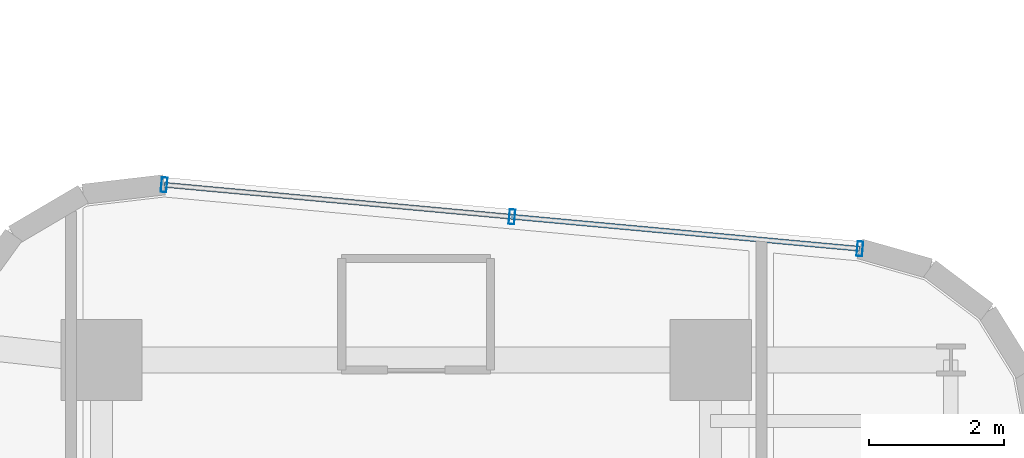
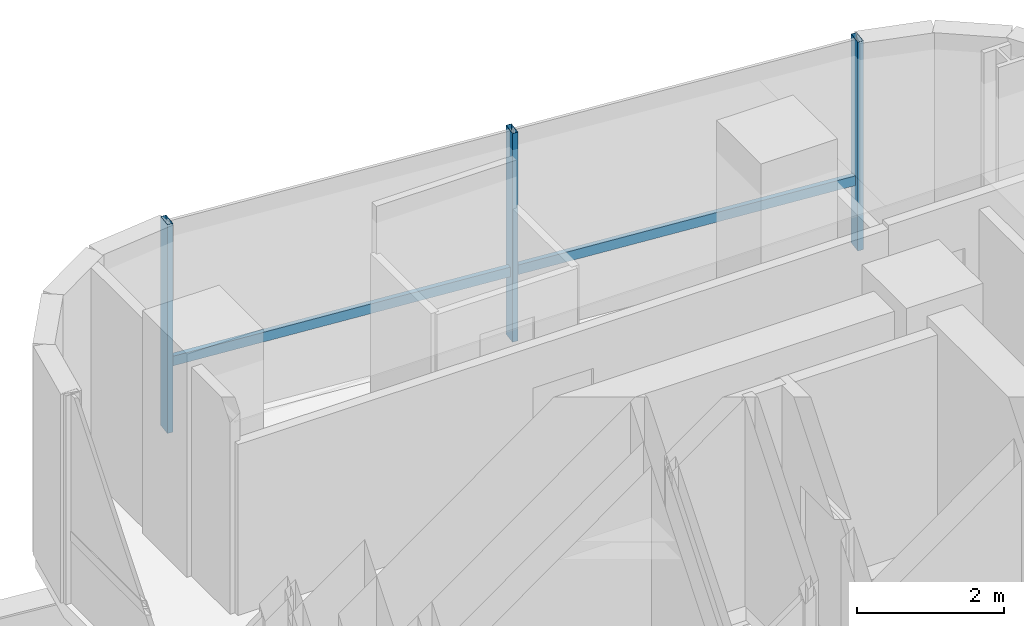
# One storey, part 25 of 36: 4 members, 1 element without a shape of its own.
"""IFC4 building model written with IfcOpenShell, lengths in metres."""

from ifc_helpers import new_model, si_unit, direction, frame, origin, origin_2d, place, context, subcontext, project, spatial, hollow_rectangle, extrude, source, transform, mapped, material, material_profile, profile_set, type_object, element, aggregate, save


model = new_model("IFC4")

# Units and contexts
model_context = context("Model", 3, precision=1e-05, world=origin(), true_north=direction((0.0, 1.0)))
body_context = subcontext(model_context, "Body", "Model", "MODEL_VIEW")
ifc_project = project(units=[si_unit("LENGTHUNIT", "METRE"), si_unit("AREAUNIT", "SQUARE_METRE"), si_unit("VOLUMEUNIT", "CUBIC_METRE"), si_unit("PLANEANGLEUNIT", "RADIAN"), si_unit("MASSUNIT", "GRAM", prefix="KILO")], contexts=[model_context])

# Site, building, storey
site_placement = place(None, origin())
site = spatial("IfcSite", under=ifc_project, at=site_placement, CompositionType="ELEMENT")
building_placement = place(site_placement, origin())
building = spatial("IfcBuilding", under=site, at=building_placement, Name="Valdorenza Pilgrim Sanctuary Tower", CompositionType="ELEMENT")
storey_placement = place(building_placement, frame((0.0, 0.0, 153.800048828125)))
storey = spatial("IfcBuildingStorey", under=building, at=storey_placement, Name="L39", CompositionType="ELEMENT", Elevation=153.800048828125)

# Curtain wall, members
ifc_material_1 = material(Name="Curtain-wall IGU glazing", Category="glass")
curtain_wall_type = type_object("IfcCurtainWallType", Name="CW-SYS-03", PredefinedType="NOTDEFINED", material=ifc_material_1)
curtain_wall_placement = place(storey_placement, origin())
curtain_wall = element("IfcCurtainWall", 1, at=curtain_wall_placement, inside=storey, type_object=curtain_wall_type, Name="L39 Curtain Wall CW-L39-2-6", PredefinedType="NOTDEFINED")
ifc_material_2 = material(Name="Anodised aluminium AW-6060", Category="aluminium")
ifc_material_profile_1 = material_profile(ifc_material_2, hollow_rectangle(XDim=0.0849609375, YDim=0.219970703125, WallThickness=0.0048828125, at=origin_2d()), Name="ALU-M 220x85x5")
ifc_profile_set_1 = profile_set([ifc_material_profile_1], Name="Anodised aluminium AW-6060")
member_type_1 = type_object("IfcMemberType", Name="CW-MUL-03", PredefinedType="MULLION", material=ifc_profile_set_1)
shared_shape_1 = source(origin(), body_context, "Body", "SweptSolid", [
    extrude(hollow_rectangle(XDim=0.0849609375, YDim=0.219970703125, WallThickness=0.0048828125, at=origin_2d()), origin(), (0.0, 0.0, 1.0), 3.4599609375),
])
member_1_placement = place(storey_placement, frame((16.776123046875, 16.087890625, 0.0), z_axis=(0.0, 0.0, 1.0), x_axis=(0.995793741111, -0.091623278503, 0.0)))
member_1 = element("IfcMember", 2, at=member_1_placement, type_object=member_type_1, Name="CW-L39-2-6 Mullion 1", PredefinedType="MULLION", context=body_context, shape_type="MappedRepresentation", body=[
    mapped(shared_shape_1, transform((0.0, 0.0, 0.0), x_axis=(1.0, 0.0, 0.0), y_axis=(0.0, 1.0, 0.0), z_axis=(0.0, 0.0, 1.0), scale=1.0)),
])
member_2_placement = place(storey_placement, frame((21.915283203125, 15.614990234375, 0.0), z_axis=(0.0, 0.0, 1.0), x_axis=(0.995793741111, -0.091623278503, 0.0)))
member_2 = element("IfcMember", 3, at=member_2_placement, type_object=member_type_1, Name="CW-L39-2-6 Mullion 2", PredefinedType="MULLION", context=body_context, shape_type="MappedRepresentation", body=[
    mapped(shared_shape_1, transform((0.0, 0.0, 0.0), x_axis=(1.0, 0.0, 0.0), y_axis=(0.0, 1.0, 0.0), z_axis=(0.0, 0.0, 1.0), scale=1.0)),
])
member_3_placement = place(storey_placement, frame((27.0546875, 15.14208984375, 0.0), z_axis=(0.0, 0.0, 1.0), x_axis=(0.995793741111, -0.091623278503, 0.0)))
member_3 = element("IfcMember", 4, at=member_3_placement, type_object=member_type_1, Name="CW-L39-2-6 Mullion 3", PredefinedType="MULLION", context=body_context, shape_type="MappedRepresentation", body=[
    mapped(shared_shape_1, transform((0.0, 0.0, 0.0), x_axis=(1.0, 0.0, 0.0), y_axis=(0.0, 1.0, 0.0), z_axis=(0.0, 0.0, 1.0), scale=1.0)),
])
ifc_material_profile_2 = material_profile(ifc_material_2, hollow_rectangle(XDim=0.074951171875, YDim=0.159912109375, WallThickness=0.00390625, at=origin_2d()), Name="ALU-T 160x75x4")
ifc_profile_set_2 = profile_set([ifc_material_profile_2], Name="Anodised aluminium AW-6060")
member_type_2 = type_object("IfcMemberType", Name="CW-TRN-03", PredefinedType="USERDEFINED", material=ifc_profile_set_2)
shared_shape_2 = source(origin(), body_context, "Body", "SweptSolid", [
    extrude(hollow_rectangle(XDim=0.074951171875, YDim=0.159912109375, WallThickness=0.00390625, at=origin_2d()), origin(), (0.0, 0.0, 1.0), 10.322021484375),
])
member_4_placement = place(storey_placement, frame((16.776123046875, 16.087890625, 1.119873046875), z_axis=(0.995793148807, -0.091629715648, 0.0), x_axis=(0.091629715648, 0.995793148807, 0.0)))
member_4 = element("IfcMember", 5, at=member_4_placement, type_object=member_type_2, Name="CW-L39-2-6 Transom 1", ObjectType="TRANSOM", PredefinedType="USERDEFINED", context=body_context, shape_type="MappedRepresentation", body=[
    mapped(shared_shape_2, transform((0.0, 0.0, 0.0), x_axis=(1.0, 0.0, 0.0), y_axis=(0.0, 1.0, 0.0), z_axis=(0.0, 0.0, 1.0), scale=1.0)),
])
aggregate(curtain_wall, [member_1, member_2, member_3, member_4])

save(model, "model.ifc")
